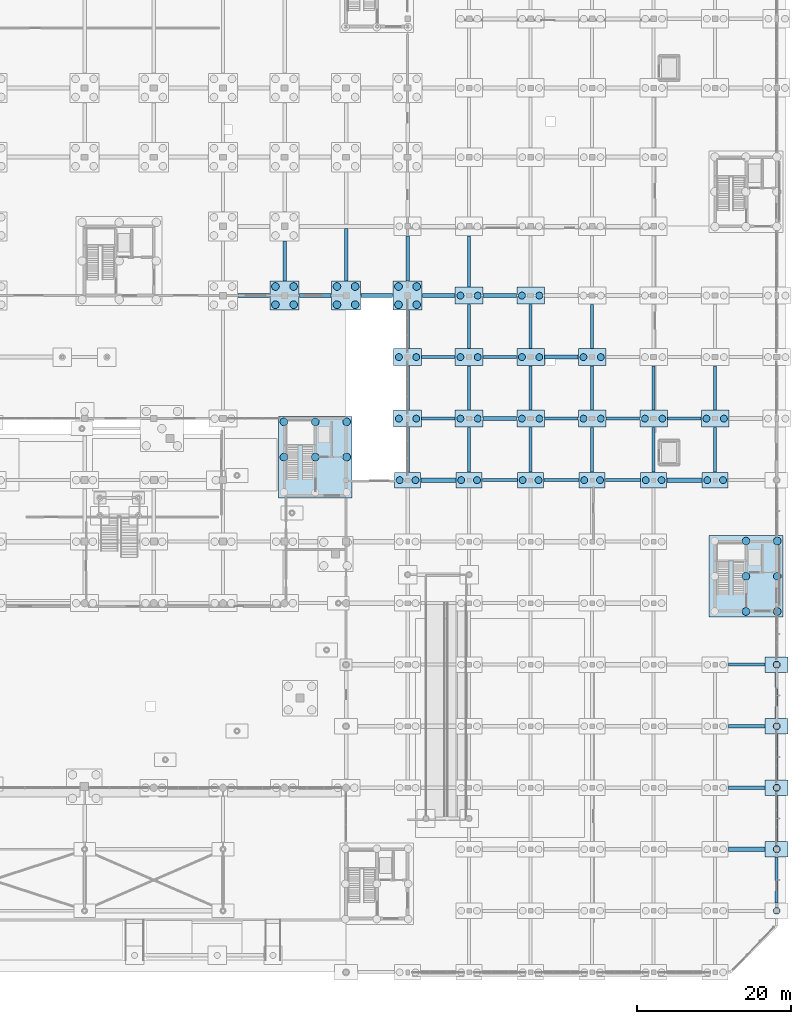
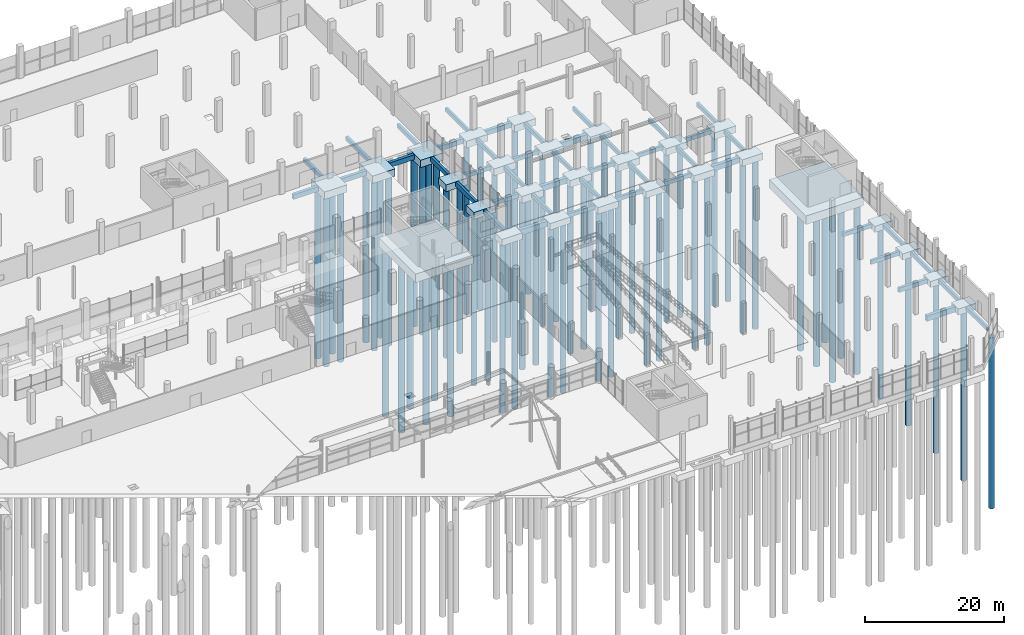
# One storey, part 9 of 98: 73 footings, 65 piles.
"""IFC4 building model written with IfcOpenShell, lengths in metres."""

from ifc_helpers import new_model, si_unit, derived_unit, direction, frame, origin, origin_2d, place, context, subcontext, project, spatial, rectangle, circle, extrude, material, layer, layer_set, material_profile, profile_set, type_object, element, save


model = new_model("IFC4")

# Units and contexts
model_context = context("Model", 3, precision=1e-05, world=origin(), true_north=direction((0.0, 1.0)))
body_context = subcontext(model_context, "Body", "Model", "MODEL_VIEW")
ifc_project = project(units=[si_unit("LENGTHUNIT", "METRE"), si_unit("AREAUNIT", "SQUARE_METRE"), si_unit("VOLUMEUNIT", "CUBIC_METRE"), si_unit("PLANEANGLEUNIT", "RADIAN"), si_unit("MASSUNIT", "GRAM", prefix="KILO"), si_unit("THERMODYNAMICTEMPERATUREUNIT", "KELVIN"), derived_unit("THERMALTRANSMITTANCEUNIT", [(si_unit("POWERUNIT", "WATT"), 1), (si_unit("AREAUNIT", "SQUARE_METRE"), -1), (si_unit("THERMODYNAMICTEMPERATUREUNIT", "KELVIN"), -1)])], contexts=[model_context])

# Site, building, storey
site_placement = place(None, origin())
site = spatial("IfcSite", under=ifc_project, at=site_placement, CompositionType="ELEMENT")
building_placement = place(site_placement, origin())
building = spatial("IfcBuilding", under=site, at=building_placement, Name="Haiyu Intermodal Mobility Hub", CompositionType="ELEMENT")
storey_placement = place(building_placement, origin())
storey = spatial("IfcBuildingStorey", under=building, at=storey_placement, Name="L00", CompositionType="ELEMENT", Elevation=0.0)

# Footings
ifc_material = material(Name="Concrete C40", Category="concrete")
ifc_layer_1 = layer(ifc_material, 1.300048828125)
ifc_layer_set_1 = layer_set([ifc_layer_1], Name="Concrete C40")
footing_type_1 = type_object("IfcFootingType", Name="CAP-PC03", PredefinedType="PILE_CAP", material=ifc_layer_set_1)
for number, where, z_axis, x_axis, name in (
    (1, (146.0, 104.0, -2.2001953125), (0.0, 0.0, 1.0), (1.0, 0.0, 0.0), "Pile Cap CAP-V4-16M"),
    (2, (154.0, 104.0, -2.2001953125), (0.0, 0.0, 1.0), (1.0, 0.0, 0.0), "Pile Cap CAP-V4-17M"),
    (3, (162.0, 104.0, -2.2001953125), (0.0, 0.0, 1.0), (1.0, 0.0, 0.0), "Pile Cap CAP-V4-18M"),
):
    element("IfcFooting", number, at=place(storey_placement, frame(where, z_axis=z_axis, x_axis=x_axis)), inside=storey, type_object=footing_type_1, Name=name, PredefinedType="PILE_CAP", context=body_context, shape_type="SweptSolid", body=[
        extrude(rectangle(XDim=3.800048828125, YDim=3.800048828125, at=origin_2d()), origin(), (0.0, 0.0, 1.0), 1.300048828125),
    ])
ifc_layer_2 = layer(ifc_material, 1.199951171875)
ifc_layer_set_2 = layer_set([ifc_layer_2], Name="Concrete C40")
footing_type_2 = type_object("IfcFootingType", Name="CAP-PC04", PredefinedType="PILE_CAP", material=ifc_layer_set_2)
for number, where, z_axis, x_axis, name in (
    (4, (162.0, 88.0, -2.10009765625), (0.0, 0.0, 1.0), (1.0, 0.0, 0.0), "Pile Cap CAP-V6-18K"),
    (5, (162.0, 96.0, -2.10009765625), (0.0, 0.0, 1.0), (1.0, 0.0, 0.0), "Pile Cap CAP-V6-18L"),
    (6, (170.0, 88.0, -2.10009765625), (0.0, 0.0, 1.0), (1.0, 0.0, 0.0), "Pile Cap CAP-V6-19K"),
    (7, (170.0, 96.0, -2.10009765625), (0.0, 0.0, 1.0), (1.0, 0.0, 0.0), "Pile Cap CAP-V6-19L"),
    (8, (170.0, 104.0, -2.10009765625), (0.0, 0.0, 1.0), (1.0, 0.0, 0.0), "Pile Cap CAP-V6-19M"),
    (9, (178.0, 88.0, -2.10009765625), (0.0, 0.0, 1.0), (1.0, 0.0, 0.0), "Pile Cap CAP-V6-20K"),
    (10, (178.0, 96.0, -2.10009765625), (0.0, 0.0, 1.0), (1.0, 0.0, 0.0), "Pile Cap CAP-V6-20L"),
    (11, (178.0, 104.0, -2.10009765625), (0.0, 0.0, 1.0), (1.0, 0.0, 0.0), "Pile Cap CAP-V6-20M"),
    (12, (186.0, 88.0, -2.10009765625), (0.0, 0.0, 1.0), (1.0, 0.0, 0.0), "Pile Cap CAP-V6-21K"),
    (13, (186.0, 96.0, -2.10009765625), (0.0, 0.0, 1.0), (1.0, 0.0, 0.0), "Pile Cap CAP-V6-21L"),
    (14, (194.0, 88.0, -2.10009765625), (0.0, 0.0, 1.0), (1.0, 0.0, 0.0), "Pile Cap CAP-V6-22K"),
    (15, (202.0, 88.0, -2.10009765625), (0.0, 0.0, 1.0), (1.0, 0.0, 0.0), "Pile Cap CAP-V6-23K"),
):
    element("IfcFooting", number, at=place(storey_placement, frame(where, z_axis=z_axis, x_axis=x_axis)), inside=storey, type_object=footing_type_2, Name=name, PredefinedType="PILE_CAP", context=body_context, shape_type="SweptSolid", body=[
        extrude(rectangle(XDim=3.60009765625, YDim=2.199951171875, at=origin_2d()), origin(), (0.0, 0.0, 1.0), 1.199951171875),
    ])
ifc_layer_3 = layer(ifc_material, 1.14990234375)
ifc_layer_set_3 = layer_set([ifc_layer_3], Name="Concrete C40")
footing_type_3 = type_object("IfcFootingType", Name="CAP-PC05", PredefinedType="PILE_CAP", material=ifc_layer_set_3)
for number, where, z_axis, x_axis, name in (
    (16, (162.0, 80.0, -2.050048828125), (0.0, 0.0, 1.0), (1.0, 0.0, 0.0), "Pile Cap CAP-V5-18J"),
    (17, (170.0, 80.0, -2.050048828125), (0.0, 0.0, 1.0), (1.0, 0.0, 0.0), "Pile Cap CAP-V5-19J"),
    (18, (178.0, 80.0, -2.050048828125), (0.0, 0.0, 1.0), (1.0, 0.0, 0.0), "Pile Cap CAP-V5-20J"),
    (19, (186.0, 80.0, -2.050048828125), (0.0, 0.0, 1.0), (1.0, 0.0, 0.0), "Pile Cap CAP-V5-21J"),
    (20, (194.0, 80.0, -2.050048828125), (0.0, 0.0, 1.0), (1.0, 0.0, 0.0), "Pile Cap CAP-V5-22J"),
    (21, (202.0, 80.0, -2.050048828125), (0.0, 0.0, 1.0), (1.0, 0.0, 0.0), "Pile Cap CAP-V5-23J"),
):
    element("IfcFooting", number, at=place(storey_placement, frame(where, z_axis=z_axis, x_axis=x_axis)), inside=storey, type_object=footing_type_3, Name=name, PredefinedType="PILE_CAP", context=body_context, shape_type="SweptSolid", body=[
        extrude(rectangle(XDim=3.39990234375, YDim=2.0, at=origin_2d()), origin(), (0.0, 0.0, 1.0), 1.14990234375),
    ])
ifc_layer_4 = layer(ifc_material, 1.10009765625)
ifc_layer_set_4 = layer_set([ifc_layer_4], Name="Concrete C40")
footing_type_4 = type_object("IfcFootingType", Name="CAP-PC14", PredefinedType="PILE_CAP", material=ifc_layer_set_4)
for number, where, z_axis, x_axis, name in (
    (22, (210.0, 32.0, -2.0), (0.0, 0.0, 1.0), (1.0, 0.0, 0.0), "Pile Cap CAP-V5-24C"),
    (23, (210.0, 40.0, -2.0), (0.0, 0.0, 1.0), (1.0, 0.0, 0.0), "Pile Cap CAP-V5-24D"),
    (24, (210.0, 48.0, -2.0), (0.0, 0.0, 1.0), (1.0, 0.0, 0.0), "Pile Cap CAP-V5-24E"),
    (25, (210.0, 56.0, -2.0), (0.0, 0.0, 1.0), (1.0, 0.0, 0.0), "Pile Cap CAP-V5-24F"),
):
    element("IfcFooting", number, at=place(storey_placement, frame(where, z_axis=z_axis, x_axis=x_axis)), inside=storey, type_object=footing_type_4, Name=name, PredefinedType="PILE_CAP", context=body_context, shape_type="SweptSolid", body=[
        extrude(rectangle(XDim=3.0, YDim=2.0, at=origin_2d()), origin(), (0.0, 0.0, 1.0), 1.10009765625),
    ])
ifc_layer_5 = layer(ifc_material, 1.5)
ifc_layer_set_5 = layer_set([ifc_layer_5], Name="Concrete C40")
footing_type_5 = type_object("IfcFootingType", Name="CAP-PC16", PredefinedType="PILE_CAP", material=ifc_layer_set_5)
for number, where, z_axis, x_axis, name in (
    (26, (150.0, 83.0, -2.39990234375), (0.0, 0.0, 1.0), (1.0, 0.0, 0.0), "Pile Cap CAP-CORE-C2"),
    (27, (206.0, 67.5, -2.39990234375), (0.0, 0.0, 1.0), (1.0, 0.0, 0.0), "Pile Cap CAP-CORE-C9"),
):
    element("IfcFooting", number, at=place(storey_placement, frame(where, z_axis=z_axis, x_axis=x_axis)), inside=storey, type_object=footing_type_5, Name=name, PredefinedType="PILE_CAP", context=body_context, shape_type="SweptSolid", body=[
        extrude(rectangle(XDim=9.60009765625, YDim=10.60009765625, at=origin_2d()), origin(), (0.0, 0.0, 1.0), 1.5),
    ])
ifc_material_profile_1 = material_profile(ifc_material, rectangle(XDim=0.5, YDim=0.85009765625, at=origin_2d()), Name="FB500x850")
ifc_profile_set_1 = profile_set([ifc_material_profile_1], Name="Concrete C40")
footing_type_6 = type_object("IfcFootingType", Name="FBM-FB01", PredefinedType="FOOTING_BEAM", material=ifc_profile_set_1)
for number, where, z_axis, x_axis, name in (
    (28, (139.929931640625, 104.0, -1.324951171875), (1.0, 0.0, 0.0), (0.0, 1.0, 0.0), "Foundation Tie Beam FBM-X-147"),
    (29, (147.929931640625, 104.0, -1.324951171875), (1.0, 0.0, 0.0), (0.0, 1.0, 0.0), "Foundation Tie Beam FBM-X-148"),
    (30, (155.929931640625, 104.0, -1.324951171875), (1.0, 0.0, 0.0), (0.0, 1.0, 0.0), "Foundation Tie Beam FBM-X-149"),
):
    element("IfcFooting", number, at=place(storey_placement, frame(where, z_axis=z_axis, x_axis=x_axis)), inside=storey, type_object=footing_type_6, Name=name, PredefinedType="FOOTING_BEAM", context=body_context, shape_type="SweptSolid", body=[
        extrude(rectangle(XDim=0.5, YDim=0.85009765625, at=origin_2d()), origin(), (0.0, 0.0, 1.0), 4.14013671875),
    ])
footing_1_placement = place(storey_placement, frame((163.929931640625, 104.0, -1.324951171875), z_axis=(1.0, 0.0, 0.0), x_axis=(0.0, 1.0, 0.0)))
element("IfcFooting", 31, at=footing_1_placement, inside=storey, type_object=footing_type_6, Name="Foundation Tie Beam FBM-X-150", PredefinedType="FOOTING_BEAM", context=body_context, shape_type="SweptSolid", body=[
    extrude(rectangle(XDim=0.5, YDim=0.85009765625, at=origin_2d()), origin(), (0.0, 0.0, 1.0), 4.239990234375),
])
footing_2_placement = place(storey_placement, frame((171.830078125, 104.0, -1.324951171875), z_axis=(1.0, 0.0, 0.0), x_axis=(0.0, 1.0, 0.0)))
element("IfcFooting", 32, at=footing_2_placement, inside=storey, type_object=footing_type_6, Name="Foundation Tie Beam FBM-X-151", PredefinedType="FOOTING_BEAM", context=body_context, shape_type="SweptSolid", body=[
    extrude(rectangle(XDim=0.5, YDim=0.85009765625, at=origin_2d()), origin(), (0.0, 0.0, 1.0), 4.33984375),
])
ifc_material_profile_2 = material_profile(ifc_material, rectangle(XDim=0.449951171875, YDim=0.75, at=origin_2d()), Name="FB450x750")
ifc_profile_set_2 = profile_set([ifc_material_profile_2], Name="Concrete C40")
footing_type_7 = type_object("IfcFootingType", Name="FBM-FB02", PredefinedType="FOOTING_BEAM", material=ifc_profile_set_2)
footing_3_placement = place(storey_placement, frame((203.72998046875, 40.0, -1.27490234375), z_axis=(1.0, 0.0, 0.0), x_axis=(0.0, 1.0, 0.0)))
element("IfcFooting", 33, at=footing_3_placement, inside=storey, type_object=footing_type_7, Name="Foundation Tie Beam FBM-X-037", PredefinedType="FOOTING_BEAM", context=body_context, shape_type="SweptSolid", body=[
    extrude(rectangle(XDim=0.449951171875, YDim=0.75, at=origin_2d()), origin(), (0.0, 0.0, 1.0), 4.739990234375),
])
footing_4_placement = place(storey_placement, frame((146.0, 105.929931640625, -1.27490234375), z_axis=(0.0, 1.0, 0.0), x_axis=(-1.0, 0.0, 0.0)))
element("IfcFooting", 34, at=footing_4_placement, inside=storey, type_object=footing_type_7, Name="Foundation Tie Beam FBM-Y-341", PredefinedType="FOOTING_BEAM", context=body_context, shape_type="SweptSolid", body=[
    extrude(rectangle(XDim=0.449951171875, YDim=0.75, at=origin_2d()), origin(), (0.0, 0.0, 1.0), 5.14013671875),
])
footing_5_placement = place(storey_placement, frame((154.0, 105.929931640625, -1.27490234375), z_axis=(0.0, 1.0, 0.0), x_axis=(-1.0, 0.0, 0.0)))
element("IfcFooting", 35, at=footing_5_placement, inside=storey, type_object=footing_type_7, Name="Foundation Tie Beam FBM-Y-347", PredefinedType="FOOTING_BEAM", context=body_context, shape_type="SweptSolid", body=[
    extrude(rectangle(XDim=0.449951171875, YDim=0.75, at=origin_2d()), origin(), (0.0, 0.0, 1.0), 6.7900390625),
])
footing_6_placement = place(storey_placement, frame((162.0, 81.030029296875, -1.27490234375), z_axis=(0.0, 1.0, 0.0), x_axis=(-1.0, 0.0, 0.0)))
element("IfcFooting", 36, at=footing_6_placement, inside=storey, type_object=footing_type_7, Name="Foundation Tie Beam FBM-Y-356", PredefinedType="FOOTING_BEAM", context=body_context, shape_type="SweptSolid", body=[
    extrude(rectangle(XDim=0.449951171875, YDim=0.75, at=origin_2d()), origin(), (0.0, 0.0, 1.0), 5.840087890625),
])
footing_7_placement = place(storey_placement, frame((162.0, 89.1298828125, -1.27490234375), z_axis=(0.0, 1.0, 0.0), x_axis=(-1.0, 0.0, 0.0)))
element("IfcFooting", 37, at=footing_7_placement, inside=storey, type_object=footing_type_7, Name="Foundation Tie Beam FBM-Y-357", PredefinedType="FOOTING_BEAM", context=body_context, shape_type="SweptSolid", body=[
    extrude(rectangle(XDim=0.449951171875, YDim=0.75, at=origin_2d()), origin(), (0.0, 0.0, 1.0), 5.740234375),
])
footing_8_placement = place(storey_placement, frame((162.0, 97.1298828125, -1.27490234375), z_axis=(0.0, 1.0, 0.0), x_axis=(-1.0, 0.0, 0.0)))
element("IfcFooting", 38, at=footing_8_placement, inside=storey, type_object=footing_type_7, Name="Foundation Tie Beam FBM-Y-358", PredefinedType="FOOTING_BEAM", context=body_context, shape_type="SweptSolid", body=[
    extrude(rectangle(XDim=0.449951171875, YDim=0.75, at=origin_2d()), origin(), (0.0, 0.0, 1.0), 4.940185546875),
])
footing_9_placement = place(storey_placement, frame((162.0, 105.929931640625, -1.27490234375), z_axis=(0.0, 1.0, 0.0), x_axis=(-1.0, 0.0, 0.0)))
element("IfcFooting", 39, at=footing_9_placement, inside=storey, type_object=footing_type_7, Name="Foundation Tie Beam FBM-Y-359", PredefinedType="FOOTING_BEAM", context=body_context, shape_type="SweptSolid", body=[
    extrude(rectangle(XDim=0.449951171875, YDim=0.75, at=origin_2d()), origin(), (0.0, 0.0, 1.0), 5.840087890625),
])
ifc_material_profile_3 = material_profile(ifc_material, rectangle(XDim=0.39990234375, YDim=0.699951171875, at=origin_2d()), Name="FB400x700")
ifc_profile_set_3 = profile_set([ifc_material_profile_3], Name="Concrete C40")
footing_type_8 = type_object("IfcFootingType", Name="FBM-FB03", PredefinedType="FOOTING_BEAM", material=ifc_profile_set_3)
for number, where, z_axis, x_axis, name in (
    (40, (203.72998046875, 48.0, -1.25), (1.0, 0.0, 0.0), (0.0, 1.0, 0.0), "Foundation Tie Beam FBM-X-049"),
    (41, (203.72998046875, 56.0, -1.25), (1.0, 0.0, 0.0), (0.0, 1.0, 0.0), "Foundation Tie Beam FBM-X-058"),
):
    element("IfcFooting", number, at=place(storey_placement, frame(where, z_axis=z_axis, x_axis=x_axis)), inside=storey, type_object=footing_type_8, Name=name, PredefinedType="FOOTING_BEAM", context=body_context, shape_type="SweptSolid", body=[
        extrude(rectangle(XDim=0.39990234375, YDim=0.699951171875, at=origin_2d()), origin(), (0.0, 0.0, 1.0), 4.739990234375),
    ])
for number, where, z_axis, x_axis, name in (
    (42, (171.72998046875, 80.0, -1.25), (1.0, 0.0, 0.0), (0.0, 1.0, 0.0), "Foundation Tie Beam FBM-X-109"),
    (43, (179.72998046875, 80.0, -1.25), (1.0, 0.0, 0.0), (0.0, 1.0, 0.0), "Foundation Tie Beam FBM-X-110"),
    (44, (187.72998046875, 80.0, -1.25), (1.0, 0.0, 0.0), (0.0, 1.0, 0.0), "Foundation Tie Beam FBM-X-111"),
):
    element("IfcFooting", number, at=place(storey_placement, frame(where, z_axis=z_axis, x_axis=x_axis)), inside=storey, type_object=footing_type_8, Name=name, PredefinedType="FOOTING_BEAM", context=body_context, shape_type="SweptSolid", body=[
        extrude(rectangle(XDim=0.39990234375, YDim=0.699951171875, at=origin_2d()), origin(), (0.0, 0.0, 1.0), 4.5400390625),
    ])
for number, where, z_axis, x_axis, name in (
    (45, (163.830078125, 88.0, -1.25), (1.0, 0.0, 0.0), (0.0, 1.0, 0.0), "Foundation Tie Beam FBM-X-119"),
    (46, (179.830078125, 88.0, -1.25), (1.0, 0.0, 0.0), (0.0, 1.0, 0.0), "Foundation Tie Beam FBM-X-121"),
    (47, (187.830078125, 88.0, -1.25), (1.0, 0.0, 0.0), (0.0, 1.0, 0.0), "Foundation Tie Beam FBM-X-122"),
    (48, (195.830078125, 88.0, -1.25), (1.0, 0.0, 0.0), (0.0, 1.0, 0.0), "Foundation Tie Beam FBM-X-123"),
    (49, (163.830078125, 96.0, -1.25), (1.0, 0.0, 0.0), (0.0, 1.0, 0.0), "Foundation Tie Beam FBM-X-134"),
    (50, (171.830078125, 96.0, -1.25), (1.0, 0.0, 0.0), (0.0, 1.0, 0.0), "Foundation Tie Beam FBM-X-135"),
):
    element("IfcFooting", number, at=place(storey_placement, frame(where, z_axis=z_axis, x_axis=x_axis)), inside=storey, type_object=footing_type_8, Name=name, PredefinedType="FOOTING_BEAM", context=body_context, shape_type="SweptSolid", body=[
        extrude(rectangle(XDim=0.39990234375, YDim=0.699951171875, at=origin_2d()), origin(), (0.0, 0.0, 1.0), 4.33984375),
    ])
footing_10_placement = place(storey_placement, frame((170.0, 81.030029296875, -1.25), z_axis=(0.0, 1.0, 0.0), x_axis=(-1.0, 0.0, 0.0)))
element("IfcFooting", 51, at=footing_10_placement, inside=storey, type_object=footing_type_8, Name="Foundation Tie Beam FBM-Y-372", PredefinedType="FOOTING_BEAM", context=body_context, shape_type="SweptSolid", body=[
    extrude(rectangle(XDim=0.39990234375, YDim=0.699951171875, at=origin_2d()), origin(), (0.0, 0.0, 1.0), 5.840087890625),
])
for number, where, z_axis, x_axis, name in (
    (52, (170.0, 89.1298828125, -1.25), (0.0, 1.0, 0.0), (-1.0, 0.0, 0.0), "Foundation Tie Beam FBM-Y-373"),
    (53, (170.0, 97.1298828125, -1.25), (0.0, 1.0, 0.0), (-1.0, 0.0, 0.0), "Foundation Tie Beam FBM-Y-374"),
):
    element("IfcFooting", number, at=place(storey_placement, frame(where, z_axis=z_axis, x_axis=x_axis)), inside=storey, type_object=footing_type_8, Name=name, PredefinedType="FOOTING_BEAM", context=body_context, shape_type="SweptSolid", body=[
        extrude(rectangle(XDim=0.39990234375, YDim=0.699951171875, at=origin_2d()), origin(), (0.0, 0.0, 1.0), 5.740234375),
    ])
footing_11_placement = place(storey_placement, frame((170.0, 105.1298828125, -1.25), z_axis=(0.0, 1.0, 0.0), x_axis=(-1.0, 0.0, 0.0)))
element("IfcFooting", 54, at=footing_11_placement, inside=storey, type_object=footing_type_8, Name="Foundation Tie Beam FBM-Y-375", PredefinedType="FOOTING_BEAM", context=body_context, shape_type="SweptSolid", body=[
    extrude(rectangle(XDim=0.39990234375, YDim=0.699951171875, at=origin_2d()), origin(), (0.0, 0.0, 1.0), 6.64013671875),
])
footing_12_placement = place(storey_placement, frame((178.0, 81.030029296875, -1.25), z_axis=(0.0, 1.0, 0.0), x_axis=(-1.0, 0.0, 0.0)))
element("IfcFooting", 55, at=footing_12_placement, inside=storey, type_object=footing_type_8, Name="Foundation Tie Beam FBM-Y-388", PredefinedType="FOOTING_BEAM", context=body_context, shape_type="SweptSolid", body=[
    extrude(rectangle(XDim=0.39990234375, YDim=0.699951171875, at=origin_2d()), origin(), (0.0, 0.0, 1.0), 5.840087890625),
])
for number, where, z_axis, x_axis, name in (
    (56, (178.0, 89.1298828125, -1.25), (0.0, 1.0, 0.0), (-1.0, 0.0, 0.0), "Foundation Tie Beam FBM-Y-389"),
    (57, (178.0, 97.1298828125, -1.25), (0.0, 1.0, 0.0), (-1.0, 0.0, 0.0), "Foundation Tie Beam FBM-Y-390"),
):
    element("IfcFooting", number, at=place(storey_placement, frame(where, z_axis=z_axis, x_axis=x_axis)), inside=storey, type_object=footing_type_8, Name=name, PredefinedType="FOOTING_BEAM", context=body_context, shape_type="SweptSolid", body=[
        extrude(rectangle(XDim=0.39990234375, YDim=0.699951171875, at=origin_2d()), origin(), (0.0, 0.0, 1.0), 5.740234375),
    ])
footing_13_placement = place(storey_placement, frame((186.0, 81.030029296875, -1.25), z_axis=(0.0, 1.0, 0.0), x_axis=(-1.0, 0.0, 0.0)))
element("IfcFooting", 58, at=footing_13_placement, inside=storey, type_object=footing_type_8, Name="Foundation Tie Beam FBM-Y-404", PredefinedType="FOOTING_BEAM", context=body_context, shape_type="SweptSolid", body=[
    extrude(rectangle(XDim=0.39990234375, YDim=0.699951171875, at=origin_2d()), origin(), (0.0, 0.0, 1.0), 5.840087890625),
])
for number, where, z_axis, x_axis, name in (
    (59, (186.0, 89.1298828125, -1.25), (0.0, 1.0, 0.0), (-1.0, 0.0, 0.0), "Foundation Tie Beam FBM-Y-405"),
    (60, (186.0, 97.1298828125, -1.25), (0.0, 1.0, 0.0), (-1.0, 0.0, 0.0), "Foundation Tie Beam FBM-Y-406"),
):
    element("IfcFooting", number, at=place(storey_placement, frame(where, z_axis=z_axis, x_axis=x_axis)), inside=storey, type_object=footing_type_8, Name=name, PredefinedType="FOOTING_BEAM", context=body_context, shape_type="SweptSolid", body=[
        extrude(rectangle(XDim=0.39990234375, YDim=0.699951171875, at=origin_2d()), origin(), (0.0, 0.0, 1.0), 5.740234375),
    ])
footing_14_placement = place(storey_placement, frame((194.0, 81.030029296875, -1.25), z_axis=(0.0, 1.0, 0.0), x_axis=(-1.0, 0.0, 0.0)))
element("IfcFooting", 61, at=footing_14_placement, inside=storey, type_object=footing_type_8, Name="Foundation Tie Beam FBM-Y-420", PredefinedType="FOOTING_BEAM", context=body_context, shape_type="SweptSolid", body=[
    extrude(rectangle(XDim=0.39990234375, YDim=0.699951171875, at=origin_2d()), origin(), (0.0, 0.0, 1.0), 5.840087890625),
])
footing_15_placement = place(storey_placement, frame((194.0, 89.1298828125, -1.25), z_axis=(0.0, 1.0, 0.0), x_axis=(-1.0, 0.0, 0.0)))
element("IfcFooting", 62, at=footing_15_placement, inside=storey, type_object=footing_type_8, Name="Foundation Tie Beam FBM-Y-421", PredefinedType="FOOTING_BEAM", context=body_context, shape_type="SweptSolid", body=[
    extrude(rectangle(XDim=0.39990234375, YDim=0.699951171875, at=origin_2d()), origin(), (0.0, 0.0, 1.0), 5.740234375),
])
footing_16_placement = place(storey_placement, frame((202.0, 81.030029296875, -1.25), z_axis=(0.0, 1.0, 0.0), x_axis=(-1.0, 0.0, 0.0)))
element("IfcFooting", 63, at=footing_16_placement, inside=storey, type_object=footing_type_8, Name="Foundation Tie Beam FBM-Y-433", PredefinedType="FOOTING_BEAM", context=body_context, shape_type="SweptSolid", body=[
    extrude(rectangle(XDim=0.39990234375, YDim=0.699951171875, at=origin_2d()), origin(), (0.0, 0.0, 1.0), 5.840087890625),
])
footing_17_placement = place(storey_placement, frame((202.0, 89.1298828125, -1.25), z_axis=(0.0, 1.0, 0.0), x_axis=(-1.0, 0.0, 0.0)))
element("IfcFooting", 64, at=footing_17_placement, inside=storey, type_object=footing_type_8, Name="Foundation Tie Beam FBM-Y-434", PredefinedType="FOOTING_BEAM", context=body_context, shape_type="SweptSolid", body=[
    extrude(rectangle(XDim=0.39990234375, YDim=0.699951171875, at=origin_2d()), origin(), (0.0, 0.0, 1.0), 5.740234375),
])
for number, where, z_axis, x_axis, name in (
    (65, (210.0, 25.030029296875, -1.25), (0.0, 1.0, 0.0), (-1.0, 0.0, 0.0), "Foundation Tie Beam FBM-Y-438"),
    (66, (210.0, 33.030029296875, -1.25), (0.0, 1.0, 0.0), (-1.0, 0.0, 0.0), "Foundation Tie Beam FBM-Y-439"),
    (67, (210.0, 41.030029296875, -1.25), (0.0, 1.0, 0.0), (-1.0, 0.0, 0.0), "Foundation Tie Beam FBM-Y-440"),
    (68, (210.0, 49.030029296875, -1.25), (0.0, 1.0, 0.0), (-1.0, 0.0, 0.0), "Foundation Tie Beam FBM-Y-441"),
):
    element("IfcFooting", number, at=place(storey_placement, frame(where, z_axis=z_axis, x_axis=x_axis)), inside=storey, type_object=footing_type_8, Name=name, PredefinedType="FOOTING_BEAM", context=body_context, shape_type="SweptSolid", body=[
        extrude(rectangle(XDim=0.39990234375, YDim=0.699951171875, at=origin_2d()), origin(), (0.0, 0.0, 1.0), 5.93994140625),
    ])
ifc_material_profile_4 = material_profile(ifc_material, rectangle(XDim=0.550048828125, YDim=0.949951171875, at=origin_2d()), Name="FB550x950")
ifc_profile_set_4 = profile_set([ifc_material_profile_4], Name="Concrete C40")
footing_type_9 = type_object("IfcFootingType", Name="FBM-FB04", PredefinedType="FOOTING_BEAM", material=ifc_profile_set_4)
footing_18_placement = place(storey_placement, frame((203.72998046875, 32.0, -1.375), z_axis=(1.0, 0.0, 0.0), x_axis=(0.0, 1.0, 0.0)))
element("IfcFooting", 69, at=footing_18_placement, inside=storey, type_object=footing_type_9, Name="Foundation Tie Beam FBM-X-024", PredefinedType="FOOTING_BEAM", context=body_context, shape_type="SweptSolid", body=[
    extrude(rectangle(XDim=0.550048828125, YDim=0.949951171875, at=origin_2d()), origin(), (0.0, 0.0, 1.0), 4.739990234375),
])
for number, where, z_axis, x_axis, name in (
    (70, (163.72998046875, 80.0, -1.375), (1.0, 0.0, 0.0), (0.0, 1.0, 0.0), "Foundation Tie Beam FBM-X-108"),
    (71, (195.72998046875, 80.0, -1.375), (1.0, 0.0, 0.0), (0.0, 1.0, 0.0), "Foundation Tie Beam FBM-X-112"),
):
    element("IfcFooting", number, at=place(storey_placement, frame(where, z_axis=z_axis, x_axis=x_axis)), inside=storey, type_object=footing_type_9, Name=name, PredefinedType="FOOTING_BEAM", context=body_context, shape_type="SweptSolid", body=[
        extrude(rectangle(XDim=0.550048828125, YDim=0.949951171875, at=origin_2d()), origin(), (0.0, 0.0, 1.0), 4.5400390625),
    ])
for number, where, z_axis, x_axis, name in (
    (72, (171.830078125, 88.0, -1.375), (1.0, 0.0, 0.0), (0.0, 1.0, 0.0), "Foundation Tie Beam FBM-X-120"),
    (73, (179.830078125, 96.0, -1.375), (1.0, 0.0, 0.0), (0.0, 1.0, 0.0), "Foundation Tie Beam FBM-X-136"),
):
    element("IfcFooting", number, at=place(storey_placement, frame(where, z_axis=z_axis, x_axis=x_axis)), inside=storey, type_object=footing_type_9, Name=name, PredefinedType="FOOTING_BEAM", context=body_context, shape_type="SweptSolid", body=[
        extrude(rectangle(XDim=0.550048828125, YDim=0.949951171875, at=origin_2d()), origin(), (0.0, 0.0, 1.0), 4.33984375),
    ])

# Piles
ifc_material_profile_5 = material_profile(ifc_material, circle(Radius=0.5, at=origin_2d()), Name="PILE-D1000")
ifc_profile_set_5 = profile_set([ifc_material_profile_5], Name="Concrete C40")
pile_type_1 = type_object("IfcPileType", Name="PILE-PL02", PredefinedType="BORED", material=ifc_profile_set_5)
for number, where, z_axis, x_axis, name in (
    (74, (145.919921875, 83.0, -2.300048828125), (0.0, 0.0, -1.0), (1.0, 0.0, 0.0), "Bored Pile CAP-CORE-C2-P2"),
    (75, (145.919921875, 87.580078125, -2.300048828125), (0.0, 0.0, -1.0), (1.0, 0.0, 0.0), "Bored Pile CAP-CORE-C2-P3"),
    (76, (150.0, 83.0, -2.300048828125), (0.0, 0.0, -1.0), (1.0, 0.0, 0.0), "Bored Pile CAP-CORE-C2-P5"),
    (77, (150.0, 87.580078125, -2.300048828125), (0.0, 0.0, -1.0), (1.0, 0.0, 0.0), "Bored Pile CAP-CORE-C2-P6"),
    (78, (154.080078125, 83.0, -2.300048828125), (0.0, 0.0, -1.0), (1.0, 0.0, 0.0), "Bored Pile CAP-CORE-C2-P8"),
    (79, (154.080078125, 87.580078125, -2.300048828125), (0.0, 0.0, -1.0), (1.0, 0.0, 0.0), "Bored Pile CAP-CORE-C2-P9"),
    (80, (206.0, 62.919921875, -2.300048828125), (0.0, 0.0, -1.0), (1.0, 0.0, 0.0), "Bored Pile CAP-CORE-C9-P4"),
    (81, (206.0, 67.5, -2.300048828125), (0.0, 0.0, -1.0), (1.0, 0.0, 0.0), "Bored Pile CAP-CORE-C9-P5"),
    (82, (206.0, 72.080078125, -2.300048828125), (0.0, 0.0, -1.0), (1.0, 0.0, 0.0), "Bored Pile CAP-CORE-C9-P6"),
    (83, (210.080078125, 62.919921875, -2.300048828125), (0.0, 0.0, -1.0), (1.0, 0.0, 0.0), "Bored Pile CAP-CORE-C9-P7"),
    (84, (210.080078125, 67.5, -2.300048828125), (0.0, 0.0, -1.0), (1.0, 0.0, 0.0), "Bored Pile CAP-CORE-C9-P8"),
    (85, (210.080078125, 72.080078125, -2.300048828125), (0.0, 0.0, -1.0), (1.0, 0.0, 0.0), "Bored Pile CAP-CORE-C9-P9"),
):
    element("IfcPile", number, at=place(storey_placement, frame(where, z_axis=z_axis, x_axis=x_axis)), inside=storey, type_object=pile_type_1, Name=name, PredefinedType="BORED", context=body_context, shape_type="SweptSolid", body=[
        extrude(circle(Radius=0.5, at=origin_2d()), origin(), (0.0, 0.0, 1.0), 29.699951171875),
    ])
for number, where, z_axis, x_axis, name in (
    (86, (144.820068359375, 102.820068359375, -2.10009765625), (0.0, 0.0, -1.0), (1.0, 0.0, 0.0), "Bored Pile CAP-V4-16M-P1"),
    (87, (147.179931640625, 102.820068359375, -2.10009765625), (0.0, 0.0, -1.0), (1.0, 0.0, 0.0), "Bored Pile CAP-V4-16M-P2"),
    (88, (144.820068359375, 105.179931640625, -2.10009765625), (0.0, 0.0, -1.0), (1.0, 0.0, 0.0), "Bored Pile CAP-V4-16M-P3"),
    (89, (147.179931640625, 105.179931640625, -2.10009765625), (0.0, 0.0, -1.0), (1.0, 0.0, 0.0), "Bored Pile CAP-V4-16M-P4"),
    (90, (152.820068359375, 102.820068359375, -2.10009765625), (0.0, 0.0, -1.0), (1.0, 0.0, 0.0), "Bored Pile CAP-V4-17M-P1"),
    (91, (155.179931640625, 102.820068359375, -2.10009765625), (0.0, 0.0, -1.0), (1.0, 0.0, 0.0), "Bored Pile CAP-V4-17M-P2"),
    (92, (152.820068359375, 105.179931640625, -2.10009765625), (0.0, 0.0, -1.0), (1.0, 0.0, 0.0), "Bored Pile CAP-V4-17M-P3"),
    (93, (155.179931640625, 105.179931640625, -2.10009765625), (0.0, 0.0, -1.0), (1.0, 0.0, 0.0), "Bored Pile CAP-V4-17M-P4"),
    (94, (160.820068359375, 102.820068359375, -2.10009765625), (0.0, 0.0, -1.0), (1.0, 0.0, 0.0), "Bored Pile CAP-V4-18M-P1"),
    (95, (163.179931640625, 102.820068359375, -2.10009765625), (0.0, 0.0, -1.0), (1.0, 0.0, 0.0), "Bored Pile CAP-V4-18M-P2"),
    (96, (160.820068359375, 105.179931640625, -2.10009765625), (0.0, 0.0, -1.0), (1.0, 0.0, 0.0), "Bored Pile CAP-V4-18M-P3"),
    (97, (163.179931640625, 105.179931640625, -2.10009765625), (0.0, 0.0, -1.0), (1.0, 0.0, 0.0), "Bored Pile CAP-V4-18M-P4"),
):
    element("IfcPile", number, at=place(storey_placement, frame(where, z_axis=z_axis, x_axis=x_axis)), inside=storey, type_object=pile_type_1, Name=name, PredefinedType="BORED", context=body_context, shape_type="SweptSolid", body=[
        extrude(circle(Radius=0.5, at=origin_2d()), origin(), (0.0, 0.0, 1.0), 29.89990234375),
    ])
ifc_material_profile_6 = material_profile(ifc_material, circle(Radius=0.449951171875, at=origin_2d()), Name="PILE-D900")
ifc_profile_set_6 = profile_set([ifc_material_profile_6], Name="Concrete C40")
pile_type_2 = type_object("IfcPileType", Name="PILE-PL03", PredefinedType="BORED", material=ifc_profile_set_6)
for number, where, z_axis, x_axis, name in (
    (98, (160.969970703125, 80.0, -1.949951171875), (0.0, 0.0, -1.0), (1.0, 0.0, 0.0), "Bored Pile CAP-V5-18J-P1"),
    (99, (163.030029296875, 80.0, -1.949951171875), (0.0, 0.0, -1.0), (1.0, 0.0, 0.0), "Bored Pile CAP-V5-18J-P2"),
    (100, (168.969970703125, 80.0, -1.949951171875), (0.0, 0.0, -1.0), (1.0, 0.0, 0.0), "Bored Pile CAP-V5-19J-P1"),
    (101, (171.030029296875, 80.0, -1.949951171875), (0.0, 0.0, -1.0), (1.0, 0.0, 0.0), "Bored Pile CAP-V5-19J-P2"),
    (102, (176.969970703125, 80.0, -1.949951171875), (0.0, 0.0, -1.0), (1.0, 0.0, 0.0), "Bored Pile CAP-V5-20J-P1"),
    (103, (179.030029296875, 80.0, -1.949951171875), (0.0, 0.0, -1.0), (1.0, 0.0, 0.0), "Bored Pile CAP-V5-20J-P2"),
    (104, (184.969970703125, 80.0, -1.949951171875), (0.0, 0.0, -1.0), (1.0, 0.0, 0.0), "Bored Pile CAP-V5-21J-P1"),
    (105, (187.030029296875, 80.0, -1.949951171875), (0.0, 0.0, -1.0), (1.0, 0.0, 0.0), "Bored Pile CAP-V5-21J-P2"),
    (106, (192.969970703125, 80.0, -1.949951171875), (0.0, 0.0, -1.0), (1.0, 0.0, 0.0), "Bored Pile CAP-V5-22J-P1"),
    (107, (195.030029296875, 80.0, -1.949951171875), (0.0, 0.0, -1.0), (1.0, 0.0, 0.0), "Bored Pile CAP-V5-22J-P2"),
    (108, (200.969970703125, 80.0, -1.949951171875), (0.0, 0.0, -1.0), (1.0, 0.0, 0.0), "Bored Pile CAP-V5-23J-P1"),
    (109, (203.030029296875, 80.0, -1.949951171875), (0.0, 0.0, -1.0), (1.0, 0.0, 0.0), "Bored Pile CAP-V5-23J-P2"),
):
    element("IfcPile", number, at=place(storey_placement, frame(where, z_axis=z_axis, x_axis=x_axis)), inside=storey, type_object=pile_type_2, Name=name, PredefinedType="BORED", context=body_context, shape_type="SweptSolid", body=[
        extrude(circle(Radius=0.449951171875, at=origin_2d()), origin(), (0.0, 0.0, 1.0), 30.050048828125),
    ])
for number, where, z_axis, x_axis, name in (
    (110, (210.0, 24.0, -1.89990234375), (0.0, 0.0, -1.0), (1.0, 0.0, 0.0), "Bored Pile CAP-V5-24B-P1"),
    (111, (210.0, 32.0, -1.89990234375), (0.0, 0.0, -1.0), (1.0, 0.0, 0.0), "Bored Pile CAP-V5-24C-P1"),
    (112, (210.0, 40.0, -1.89990234375), (0.0, 0.0, -1.0), (1.0, 0.0, 0.0), "Bored Pile CAP-V5-24D-P1"),
    (113, (210.0, 48.0, -1.89990234375), (0.0, 0.0, -1.0), (1.0, 0.0, 0.0), "Bored Pile CAP-V5-24E-P1"),
    (114, (210.0, 56.0, -1.89990234375), (0.0, 0.0, -1.0), (1.0, 0.0, 0.0), "Bored Pile CAP-V5-24F-P1"),
):
    element("IfcPile", number, at=place(storey_placement, frame(where, z_axis=z_axis, x_axis=x_axis)), inside=storey, type_object=pile_type_2, Name=name, PredefinedType="BORED", context=body_context, shape_type="SweptSolid", body=[
        extrude(circle(Radius=0.449951171875, at=origin_2d()), origin(), (0.0, 0.0, 1.0), 30.10009765625),
    ])
for number, where, z_axis, x_axis, name in (
    (115, (160.8701171875, 88.0, -2.0), (0.0, 0.0, -1.0), (1.0, 0.0, 0.0), "Bored Pile CAP-V6-18K-P1"),
    (116, (163.1298828125, 88.0, -2.0), (0.0, 0.0, -1.0), (1.0, 0.0, 0.0), "Bored Pile CAP-V6-18K-P2"),
    (117, (160.8701171875, 96.0, -2.0), (0.0, 0.0, -1.0), (1.0, 0.0, 0.0), "Bored Pile CAP-V6-18L-P1"),
    (118, (163.1298828125, 96.0, -2.0), (0.0, 0.0, -1.0), (1.0, 0.0, 0.0), "Bored Pile CAP-V6-18L-P2"),
    (119, (168.8701171875, 88.0, -2.0), (0.0, 0.0, -1.0), (1.0, 0.0, 0.0), "Bored Pile CAP-V6-19K-P1"),
    (120, (171.1298828125, 88.0, -2.0), (0.0, 0.0, -1.0), (1.0, 0.0, 0.0), "Bored Pile CAP-V6-19K-P2"),
    (121, (168.8701171875, 96.0, -2.0), (0.0, 0.0, -1.0), (1.0, 0.0, 0.0), "Bored Pile CAP-V6-19L-P1"),
    (122, (171.1298828125, 96.0, -2.0), (0.0, 0.0, -1.0), (1.0, 0.0, 0.0), "Bored Pile CAP-V6-19L-P2"),
    (123, (168.8701171875, 104.0, -2.0), (0.0, 0.0, -1.0), (1.0, 0.0, 0.0), "Bored Pile CAP-V6-19M-P1"),
    (124, (171.1298828125, 104.0, -2.0), (0.0, 0.0, -1.0), (1.0, 0.0, 0.0), "Bored Pile CAP-V6-19M-P2"),
    (125, (176.8701171875, 88.0, -2.0), (0.0, 0.0, -1.0), (1.0, 0.0, 0.0), "Bored Pile CAP-V6-20K-P1"),
    (126, (179.1298828125, 88.0, -2.0), (0.0, 0.0, -1.0), (1.0, 0.0, 0.0), "Bored Pile CAP-V6-20K-P2"),
    (127, (176.8701171875, 96.0, -2.0), (0.0, 0.0, -1.0), (1.0, 0.0, 0.0), "Bored Pile CAP-V6-20L-P1"),
    (128, (179.1298828125, 96.0, -2.0), (0.0, 0.0, -1.0), (1.0, 0.0, 0.0), "Bored Pile CAP-V6-20L-P2"),
    (129, (176.8701171875, 104.0, -2.0), (0.0, 0.0, -1.0), (1.0, 0.0, 0.0), "Bored Pile CAP-V6-20M-P1"),
    (130, (179.1298828125, 104.0, -2.0), (0.0, 0.0, -1.0), (1.0, 0.0, 0.0), "Bored Pile CAP-V6-20M-P2"),
    (131, (184.8701171875, 88.0, -2.0), (0.0, 0.0, -1.0), (1.0, 0.0, 0.0), "Bored Pile CAP-V6-21K-P1"),
    (132, (187.1298828125, 88.0, -2.0), (0.0, 0.0, -1.0), (1.0, 0.0, 0.0), "Bored Pile CAP-V6-21K-P2"),
    (133, (184.8701171875, 96.0, -2.0), (0.0, 0.0, -1.0), (1.0, 0.0, 0.0), "Bored Pile CAP-V6-21L-P1"),
    (134, (187.1298828125, 96.0, -2.0), (0.0, 0.0, -1.0), (1.0, 0.0, 0.0), "Bored Pile CAP-V6-21L-P2"),
    (135, (192.8701171875, 88.0, -2.0), (0.0, 0.0, -1.0), (1.0, 0.0, 0.0), "Bored Pile CAP-V6-22K-P1"),
    (136, (195.1298828125, 88.0, -2.0), (0.0, 0.0, -1.0), (1.0, 0.0, 0.0), "Bored Pile CAP-V6-22K-P2"),
    (137, (200.8701171875, 88.0, -2.0), (0.0, 0.0, -1.0), (1.0, 0.0, 0.0), "Bored Pile CAP-V6-23K-P1"),
    (138, (203.1298828125, 88.0, -2.0), (0.0, 0.0, -1.0), (1.0, 0.0, 0.0), "Bored Pile CAP-V6-23K-P2"),
):
    element("IfcPile", number, at=place(storey_placement, frame(where, z_axis=z_axis, x_axis=x_axis)), inside=storey, type_object=pile_type_2, Name=name, PredefinedType="BORED", context=body_context, shape_type="SweptSolid", body=[
        extrude(circle(Radius=0.449951171875, at=origin_2d()), origin(), (0.0, 0.0, 1.0), 30.0),
    ])

save(model, "model.ifc")
